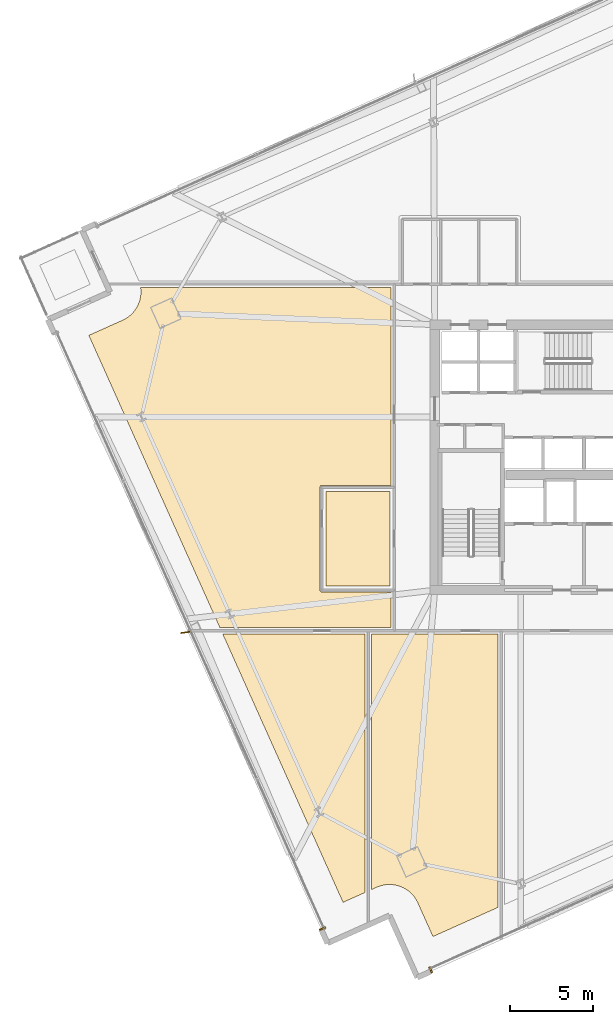
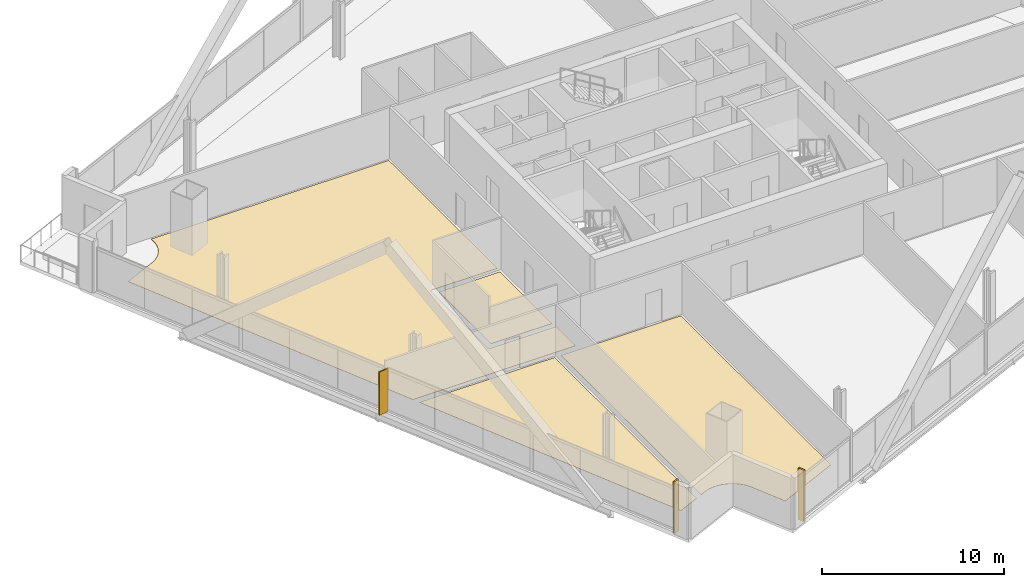
# One storey, part 32 of 38: 6 coverings, 1 shading device.
"""IFC4 building model written with IfcOpenShell, lengths in metres."""

from ifc_helpers import new_model, si_unit, direction, frame, origin, origin_2d, place, context, subcontext, project, spatial, polyline, rectangle, outline, extrude, source, transform, mapped, material, layer, layer_set, type_object, element, save


model = new_model("IFC4")

# Units and contexts
model_context = context("Model", 3, precision=1e-05, world=origin(), true_north=direction((0.0, 1.0)))
body_context = subcontext(model_context, "Body", "Model", "MODEL_VIEW")
ifc_project = project(units=[si_unit("LENGTHUNIT", "METRE"), si_unit("AREAUNIT", "SQUARE_METRE"), si_unit("VOLUMEUNIT", "CUBIC_METRE"), si_unit("PLANEANGLEUNIT", "RADIAN"), si_unit("MASSUNIT", "GRAM", prefix="KILO")], contexts=[model_context])

# Site, building, storey
site_placement = place(None, origin())
site = spatial("IfcSite", under=ifc_project, at=site_placement, CompositionType="ELEMENT")
building_placement = place(site_placement, origin())
building = spatial("IfcBuilding", under=site, at=building_placement, Name="Haldenkirk Collegiate Tower", CompositionType="ELEMENT")
storey_placement = place(building_placement, frame((0.0, 0.0, 109.199951171875)))
storey = spatial("IfcBuildingStorey", under=building, at=storey_placement, Name="L26", CompositionType="ELEMENT", Elevation=109.199951171875)

# Coverings
ifc_material_1 = material(Name="Polished collegiate terrazzo", Category="concrete")
ifc_layer_1 = layer(ifc_material_1, 0.02490234375)
ifc_layer_set_1 = layer_set([ifc_layer_1], Name="Polished collegiate terrazzo")
covering_type_1 = type_object("IfcCoveringType", Name="COV-FLOOR-TERRAZZO", PredefinedType="FLOORING", material=ifc_layer_set_1)
covering_1_placement = place(storey_placement, origin())
element("IfcCovering", 1, at=covering_1_placement, inside=storey, type_object=covering_type_1, Name="L26 academic room finish 02", PredefinedType="FLOORING", context=body_context, shape_type="SweptSolid", body=[
    extrude(outline(polyline([(21.4716796875, -0.8212890625), (14.220947265625, 15.35009765625), (22.800048828125, 15.35009765625), (22.800048828125, -0.225830078125), (21.4716796875, -0.8212890625)])), origin(), (0.0, 0.0, 1.0), 0.025146484375),
])
ifc_material_2 = material(Name="Engineered collegiate oak acoustic flooring", Category="wood")
ifc_layer_2 = layer(ifc_material_2, 0.02197265625)
ifc_layer_set_2 = layer_set([ifc_layer_2], Name="Engineered collegiate oak acoustic flooring")
covering_type_2 = type_object("IfcCoveringType", Name="COV-FLOOR-TIMBER", PredefinedType="FLOORING", material=ifc_layer_set_2)
covering_2_placement = place(storey_placement, origin())
element("IfcCovering", 2, at=covering_2_placement, inside=storey, type_object=covering_type_2, Name="L26 academic room finish 01", PredefinedType="FLOORING", context=body_context, shape_type="SweptSolid", body=[
    extrude(outline(polyline([(20.43994140625, 18.239990234375), (20.43994140625, 23.9599609375), (24.300048828125, 23.9599609375), (24.300048828125, 18.239990234375), (20.43994140625, 18.239990234375)])), origin(), (0.0, 0.0, 1.0), 0.02197265625),
])
covering_3_placement = place(storey_placement, origin())
element("IfcCovering", 3, at=covering_3_placement, inside=storey, type_object=covering_type_2, Name="L26 academic room finish 03", PredefinedType="FLOORING", context=body_context, shape_type="SweptSolid", body=[
    extrude(outline(polyline([(25.42041015625, -0.139892578125), (25.4111328125, -0.1328125), (25.270263671875, -0.034423828125), (25.26025390625, -0.028076171875), (25.110595703125, 0.055908203125), (25.10009765625, 0.06103515625), (24.942626953125, 0.1298828125), (24.931884765625, 0.13427734375), (24.7685546875, 0.1875), (24.757080078125, 0.1904296875), (24.58935546875, 0.227294921875), (24.57763671875, 0.2294921875), (24.4072265625, 0.249755859375), (24.3955078125, 0.25048828125), (24.2236328125, 0.25390625), (24.2119140625, 0.253662109375), (24.040771484375, 0.240234375), (24.029052734375, 0.23876953125), (23.860107421875, 0.20849609375), (23.848388671875, 0.2060546875), (23.68310546875, 0.159423828125), (23.672119140625, 0.15576171875), (23.511962890625, 0.09326171875), (23.506591796875, 0.091064453125), (23.199951171875, -0.04638671875), (23.199951171875, 15.35009765625), (30.800048828125, 15.35009765625), (30.800048828125, -1.132080078125), (26.890380859375, -2.885009765625), (25.97802734375, -0.85009765625), (25.9755859375, -0.844970703125), (25.897705078125, -0.69189453125), (25.891845703125, -0.681640625), (25.79931640625, -0.537109375), (25.79248046875, -0.52734375), (25.686279296875, -0.392333984375), (25.678466796875, -0.383544921875), (25.5595703125, -0.259521484375), (25.551025390625, -0.25146484375), (25.42041015625, -0.139892578125)])), origin(), (0.0, 0.0, 1.0), 0.02197265625),
])
covering_4_placement = place(storey_placement, origin())
element("IfcCovering", 4, at=covering_4_placement, inside=storey, type_object=covering_type_2, Name="L26 academic room finish 09", PredefinedType="FLOORING", context=body_context, shape_type="SweptSolid", body=[
    extrude(outline(polyline([(8.180908203125, 34.2724609375), (8.18603515625, 34.27490234375), (8.339111328125, 34.352783203125), (8.349365234375, 34.358642578125), (8.493896484375, 34.451171875), (8.503662109375, 34.4580078125), (8.638671875, 34.564208984375), (8.6474609375, 34.572021484375), (8.771484375, 34.69091796875), (8.779541015625, 34.699462890625), (8.89111328125, 34.829833984375), (8.898193359375, 34.839111328125), (8.99658203125, 34.97998046875), (9.0029296875, 34.989990234375), (9.0869140625, 35.139892578125), (9.092041015625, 35.150390625), (9.160888671875, 35.3076171875), (9.165283203125, 35.318603515625), (9.218505859375, 35.48193359375), (9.221435546875, 35.493408203125), (9.25830078125, 35.6611328125), (9.260498046875, 35.672607421875), (9.28076171875, 35.84326171875), (9.281494140625, 35.85498046875), (9.284912109375, 36.026611328125), (9.28466796875, 36.03857421875), (9.271240234375, 36.209716796875), (9.269775390625, 36.22119140625), (9.2646484375, 36.24951171875), (24.35009765625, 36.25), (24.35009765625, 24.320068359375), (20.199951171875, 24.320068359375), (20.188232421875, 24.3193359375), (20.176513671875, 24.317626953125), (20.165283203125, 24.314697265625), (20.154052734375, 24.310791015625), (20.143310546875, 24.305908203125), (20.13330078125, 24.2998046875), (20.123779296875, 24.292724609375), (20.114990234375, 24.284912109375), (20.107177734375, 24.276123046875), (20.10009765625, 24.2666015625), (20.09423828125, 24.256591796875), (20.089111328125, 24.245849609375), (20.085205078125, 24.23486328125), (20.082275390625, 24.223388671875), (20.08056640625, 24.2119140625), (20.080078125, 24.199951171875), (20.080078125, 18.0), (20.08056640625, 17.98828125), (20.082275390625, 17.9765625), (20.085205078125, 17.965087890625), (20.089111328125, 17.9541015625), (20.09423828125, 17.943359375), (20.10009765625, 17.933349609375), (20.107177734375, 17.923828125), (20.114990234375, 17.9150390625), (20.123779296875, 17.9072265625), (20.13330078125, 17.900146484375), (20.143310546875, 17.894287109375), (20.154052734375, 17.88916015625), (20.165283203125, 17.88525390625), (20.176513671875, 17.88232421875), (20.188232421875, 17.880615234375), (20.199951171875, 17.8798828125), (24.35009765625, 17.8798828125), (24.35009765625, 15.75), (14.041748046875, 15.75), (6.14599609375, 33.360107421875), (8.180908203125, 34.2724609375)])), origin(), (0.0, 0.0, 1.0), 0.02197265625),
])
ifc_material_3 = material(Name="Anodised architectural bronze aluminium", Category="aluminium")
ifc_layer_3 = layer(ifc_material_3, 0.06005859375)
ifc_layer_set_3 = layer_set([ifc_layer_3], Name="Anodised architectural bronze aluminium")
covering_type_3 = type_object("IfcCoveringType", Name="COV-CLAD-BRONZE-60", PredefinedType="CLADDING", material=ifc_layer_set_3)
shared_shape_1 = source(origin(), body_context, "Body", "SweptSolid", [
    extrude(rectangle(XDim=0.10009765625, YDim=0.3798828125, at=origin_2d()), origin(), (0.0, 0.0, 1.0), 3.449951171875),
])
for number, where, z_axis, x_axis, name in (
    (5, (26.760986328125, -4.893798828125, 0.0), (0.0, 0.0, 1.0), (-0.912477494148, -0.409126902895, 0.0), "L26 recessed curtain-wall bronze jamb closure SJR"),
    (6, (20.232177734375, -2.407470703125, 0.0), (0.0, 0.0, 1.0), (-0.409126902895, 0.912477494148, 0.0), "L26 recessed curtain-wall bronze jamb closure WJL"),
):
    element("IfcCovering", number, at=place(storey_placement, frame(where, z_axis=z_axis, x_axis=x_axis)), inside=storey, type_object=covering_type_3, Name=name, PredefinedType="CLADDING", context=body_context, shape_type="MappedRepresentation", body=[
        mapped(shared_shape_1, transform((0.0, 0.0, 0.0), x_axis=(1.0, 0.0, 0.0), y_axis=(0.0, 1.0, 0.0), z_axis=(0.0, 0.0, 1.0), scale=1.0)),
    ])

# Shading device
ifc_layer_4 = layer(ifc_material_3, 0.06494140625)
ifc_layer_set_4 = layer_set([ifc_layer_4], Name="Anodised architectural bronze aluminium")
shading_device_type = type_object("IfcShadingDeviceType", Name="SHD-FIN-BRONZE-620", PredefinedType="USERDEFINED", material=ifc_layer_set_4)
shared_shape_2 = source(origin(), body_context, "Body", "SweptSolid", [
    extrude(rectangle(XDim=0.6201171875, YDim=0.06494140625, at=origin_2d()), origin(), (0.0, 0.0, 1.0), 2.90087890625),
])
shading_device_placement = place(storey_placement, frame((11.99755859375, 15.457275390625, 0.0), z_axis=(0.0, 0.0, 1.0), x_axis=(-0.989900321238, -0.141765136802, 0.0)))
element("IfcShadingDevice", 7, at=shading_device_placement, inside=storey, type_object=shading_device_type, Name="L26 folded bronze solar fin 1", ObjectType="FIN", PredefinedType="USERDEFINED", context=body_context, shape_type="MappedRepresentation", body=[
    mapped(shared_shape_2, transform((0.0, 0.0, 0.0), x_axis=(1.0, 0.0, 0.0), y_axis=(0.0, 1.0, 0.0), z_axis=(0.0, 0.0, 1.0), scale=1.0)),
])

save(model, "model.ifc")
